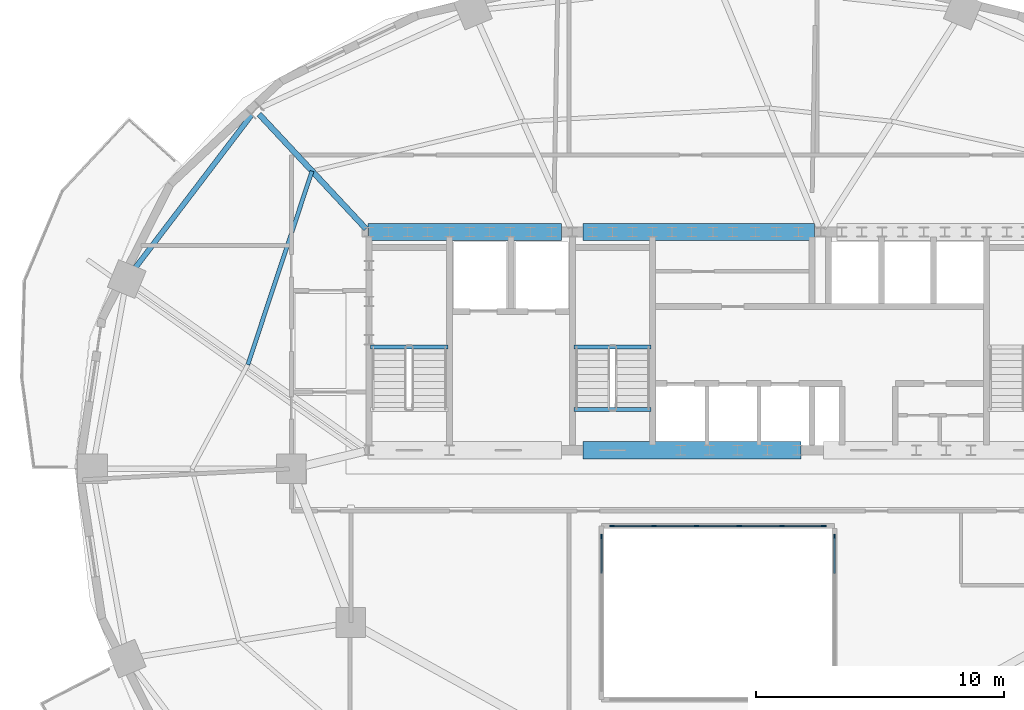
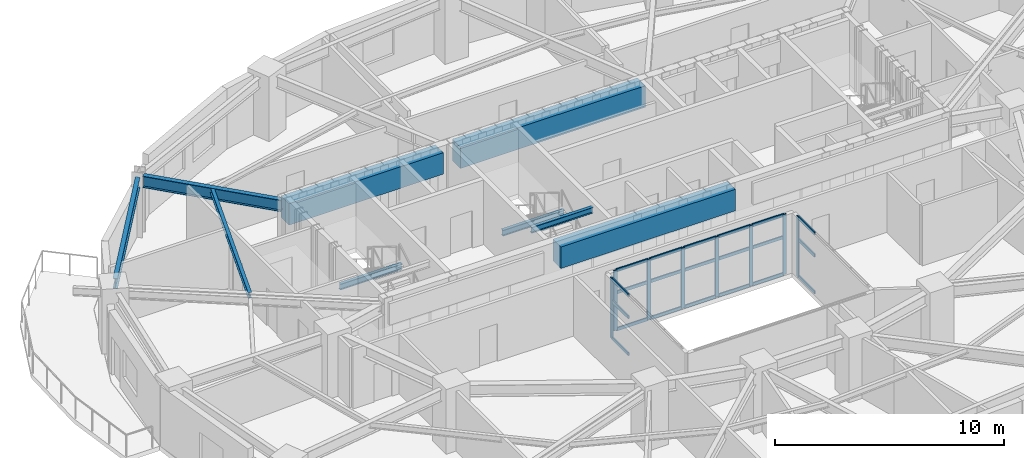
# One storey, part 3 of 11: 29 members, 9 beams, 3 elements without a shape of their own.
"""IFC4 building model written with IfcOpenShell, lengths in metres."""

import ifcopenshell
import ifcopenshell.guid

model = None  # the IFC model being written
_history = None  # IfcOwnerHistory: only IFC2X3 demands one
_inside = {}  # id of a spatial element -> (the spatial element, [elements in it])
_under = {}  # id of a project, library or spatial element -> (it, [spatial elements below it])
_declared = {}  # id of a project -> (the project, [libraries it declares])
_typed = {}  # id of a type object -> (the type object, [elements of that type])
_made_of = {}  # id of a material, layer set ... -> (it, [elements and type objects made of it])


def new_model(schema):
    """Start an empty IFC model of exactly this schema.

    Asked for "IFC4X3", IfcOpenShell would pick the latest addendum, in which some entities
    have other attributes; the version numbers below select the first issue.
    IFC2X3 requires an IfcOwnerHistory on every rooted entity: one is made here for all.
    """
    global model, _history
    if schema == "IFC4X3":
        model = ifcopenshell.file(schema_version=(4, 3, 0, 0))
    else:
        model = ifcopenshell.file(schema=schema)
    _inside.clear()
    _under.clear()
    _declared.clear()
    _typed.clear()
    _made_of.clear()
    _history = None
    if model.schema == "IFC2X3":
        org = make("IfcOrganization", Name="unknown")
        user = make(
            "IfcPersonAndOrganization",
            ThePerson=make("IfcPerson", FamilyName="unknown"),
            TheOrganization=org,
        )
        app = make(
            "IfcApplication",
            ApplicationDeveloper=org,
            Version="unknown",
            ApplicationFullName="unknown",
            ApplicationIdentifier="unknown",
        )
        _history = make(
            "IfcOwnerHistory",
            OwningUser=user,
            OwningApplication=app,
            ChangeAction="ADDED",
            CreationDate=0,
        )
    return model


def make(cls, **values):
    """One entity of the class cls with the attributes given. An attribute that is None is left unset."""
    return model.create_entity(
        cls, **{name: value for name, value in values.items() if value is not None}
    )


def rooted(cls, **values):
    """An entity with a GlobalId (a new one), such as an element, a storey or a relation."""
    return make(cls, GlobalId=ifcopenshell.guid.new(), OwnerHistory=_history, **values)


def si_unit(unit_type, name, prefix=None):
    """IfcSIUnit, for example si_unit("LENGTHUNIT", "METRE", prefix="MILLI")."""
    return make("IfcSIUnit", UnitType=unit_type, Prefix=prefix, Name=name)


def assignment(units):
    """IfcUnitAssignment: the units of a project."""
    return None if units is None else make("IfcUnitAssignment", Units=units)


def point(xyz):
    """IfcCartesianPoint."""
    return None if xyz is None else make("IfcCartesianPoint", Coordinates=xyz)


def direction(xyz):
    """IfcDirection."""
    return None if xyz is None else make("IfcDirection", DirectionRatios=xyz)


def frame(location, z_axis=None, x_axis=None):
    """IfcAxis2Placement3D, a coordinate frame: its origin and axes. An axis left out is left unset."""
    return make(
        "IfcAxis2Placement3D",
        Location=point(location),
        Axis=direction(z_axis),
        RefDirection=direction(x_axis),
    )


def frame_2d(location, x_axis=None):
    """IfcAxis2Placement2D, a coordinate frame in the plane: its origin and x axis."""
    return make(
        "IfcAxis2Placement2D", Location=point(location), RefDirection=direction(x_axis)
    )


def origin():
    """The frame at (0, 0, 0) with its axes left unset."""
    return frame((0.0, 0.0, 0.0))


def origin_2d():
    """The frame at (0, 0) in the plane with its x axis left unset."""
    return frame_2d((0.0, 0.0))


def place(relative_to, where):
    """IfcLocalPlacement: puts the frame where relative to a parent placement (None: the world)."""
    return make(
        "IfcLocalPlacement", PlacementRelTo=relative_to, RelativePlacement=where
    )


def context(
    kind, dimensions, precision=None, world=None, true_north=None, identifier=None
):
    """IfcGeometricRepresentationContext, for example the 3D "Model" context."""
    return make(
        "IfcGeometricRepresentationContext",
        ContextIdentifier=identifier,
        ContextType=kind,
        CoordinateSpaceDimension=dimensions,
        Precision=precision,
        WorldCoordinateSystem=world,
        TrueNorth=true_north,
    )


def subcontext(parent, identifier, kind, view, scale=None):
    """IfcGeometricRepresentationSubContext, for example "Body" below "Model"."""
    return make(
        "IfcGeometricRepresentationSubContext",
        ContextIdentifier=identifier,
        ContextType=kind,
        ParentContext=parent,
        TargetScale=scale,
        TargetView=view,
    )


def project(units=None, contexts=None):
    """IfcProject with its units and contexts."""
    return rooted(
        "IfcProject",
        Name="project",
        RepresentationContexts=contexts,
        UnitsInContext=assignment(units),
    )


def spatial(cls, under=None, at=None, **own):
    """A site, building, storey or space (cls), placed at a placement, below another one or the project."""
    s = rooted(cls, ObjectPlacement=at, **own)
    if under is not None:
        _under.setdefault(under.id(), (under, []))[1].append(s)
    return s


def profile(cls, at=None, kind="AREA", **sizes):
    """A parametric profile (cls). Its sizes go by their IFC names, for example OverallWidth=200.0."""
    return make(cls, ProfileType=kind, Position=at, **sizes)


def rectangle(**sizes):
    """IfcRectangleProfileDef."""
    return profile("IfcRectangleProfileDef", **sizes)


def i_section(**sizes):
    """IfcIShapeProfileDef."""
    return profile("IfcIShapeProfileDef", **sizes)


def extrude(swept, where, along, depth):
    """IfcExtrudedAreaSolid: the profile swept, set in the frame where, extruded along a direction by depth."""
    return make(
        "IfcExtrudedAreaSolid",
        SweptArea=swept,
        Position=where,
        ExtrudedDirection=direction(along),
        Depth=depth,
    )


def shape(context_of_items, identifier, shape_type, items):
    """IfcShapeRepresentation: the items that make up one representation, for example the "Body"."""
    return make(
        "IfcShapeRepresentation",
        ContextOfItems=context_of_items,
        RepresentationIdentifier=identifier,
        RepresentationType=shape_type,
        Items=items,
    )


def material(Name=None, Category=None):
    """IfcMaterial."""
    return make("IfcMaterial", Name=Name, Category=Category)


def material_profile(
    of_material, cross_section, Name=None, Category=None, Priority=None
):
    """IfcMaterialProfile: a cross section and its material."""
    return make(
        "IfcMaterialProfile",
        Name=Name,
        Material=of_material,
        Profile=cross_section,
        Priority=Priority,
        Category=Category,
    )


def profile_set(profiles, Name=None, composite=None):
    """IfcMaterialProfileSet."""
    return make(
        "IfcMaterialProfileSet",
        Name=Name,
        MaterialProfiles=profiles,
        CompositeProfile=composite,
    )


def made_of(thing, what):
    """Note that an element or type object is made of a material, layer set ...; save() writes the relation."""
    if what is not None:
        _made_of.setdefault(what.id(), (what, []))[1].append(thing)
    return thing


def type_object(cls, material=None, **own):
    """A type object (cls), such as IfcWallType, which elements share."""
    return made_of(rooted(cls, **own), material)


def element(
    cls,
    number,
    at=None,
    inside=None,
    cuts=None,
    type_object=None,
    material=None,
    context=None,
    identifier="Body",
    shape_type=None,
    held_by="IfcProductDefinitionShape",
    body=None,
    shapes=None,
    **own,
):
    """One element of the class cls, such as IfcWall. Its Tag is "e" and its number.

    at: its placement. inside: the storey or other place that contains it. cuts: it is an
    opening in that element (IfcRelVoidsElement). A single representation is given by context,
    identifier, shape_type and body (its items); several are given by shapes. held_by: the class
    of the entity that holds the representations. save() writes the other relations.
    """
    e = rooted(cls, Tag="e%d" % number, ObjectPlacement=at, **own)
    if body is not None:
        shapes = [shape(context, identifier, shape_type, body)]
    if shapes is not None:
        e.Representation = make(held_by, Representations=shapes)
    if inside is not None:
        _inside.setdefault(inside.id(), (inside, []))[1].append(e)
    if cuts is not None:
        rooted(
            "IfcRelVoidsElement", RelatingBuildingElement=cuts, RelatedOpeningElement=e
        )
    if type_object is not None:
        _typed.setdefault(type_object.id(), (type_object, []))[1].append(e)
    return made_of(e, material)


def aggregate(whole, parts):
    """IfcRelAggregates: a whole, such as a stair, and the parts it consists of."""
    return rooted("IfcRelAggregates", RelatingObject=whole, RelatedObjects=parts)


def save(model, path):
    """Write the relations noted so far, then the file.

    IfcRelAggregates (storeys below a building ...), IfcRelContainedInSpatialStructure (elements
    in a storey), IfcRelDefinesByType, IfcRelAssociatesMaterial and IfcRelDeclares: one each for
    every whole, place, type object, material and project.
    """
    for whole, parts in _under.values():
        aggregate(whole, parts)
    for where, things in _inside.values():
        rooted(
            "IfcRelContainedInSpatialStructure",
            RelatedElements=things,
            RelatingStructure=where,
        )
    for kind, things in _typed.values():
        rooted("IfcRelDefinesByType", RelatedObjects=things, RelatingType=kind)
    for what, things in _made_of.values():
        rooted("IfcRelAssociatesMaterial", RelatedObjects=things, RelatingMaterial=what)
    for by, libraries in _declared.values():
        rooted("IfcRelDeclares", RelatingContext=by, RelatedDefinitions=libraries)
    model.write(path)


model = new_model("IFC4")

# Units and contexts
model_context = context("Model", 3, precision=1e-05, world=origin(), true_north=direction((0.0, 1.0)))
body_context = subcontext(model_context, "Body", "Model", "MODEL_VIEW")
ifc_project = project(units=[si_unit("LENGTHUNIT", "METRE"), si_unit("AREAUNIT", "SQUARE_METRE"), si_unit("VOLUMEUNIT", "CUBIC_METRE"), si_unit("PLANEANGLEUNIT", "RADIAN"), si_unit("MASSUNIT", "GRAM", prefix="KILO")], contexts=[model_context])

# Site, building, storey
site_placement = place(None, origin())
site = spatial("IfcSite", under=ifc_project, at=site_placement, CompositionType="ELEMENT")
building_placement = place(site_placement, origin())
building = spatial("IfcBuilding", under=site, at=building_placement, Name="Haldorwick Loom Tower", CompositionType="ELEMENT")
storey_placement = place(building_placement, frame((0.0, 0.0, 171.699951171875)))
storey = spatial("IfcBuildingStorey", under=building, at=storey_placement, Name="L46", CompositionType="ELEMENT", Elevation=171.699951171875)

# Curtain wall, members
ifc_material_1 = material(Name="Thermally Broken Anodized Aluminium Curtain Wall Framing", Category="aluminium")
curtain_wall_type = type_object("IfcCurtainWallType", Name="ARC-CW-03", PredefinedType="NOTDEFINED", material=ifc_material_1)
curtain_wall_1_placement = place(storey_placement, origin())
curtain_wall_1 = element("IfcCurtainWall", 1, at=curtain_wall_1_placement, inside=storey, type_object=curtain_wall_type, Name="L46 Atrium Glazed Screen N", PredefinedType="NOTDEFINED")
ifc_material_profile_1 = material_profile(ifc_material_1, rectangle(XDim=0.06591796875, YDim=0.18505859375, at=origin_2d()), Name="ALU_MUL_66X185", Category="aluminium")
ifc_profile_set_1 = profile_set([ifc_material_profile_1], Name="Thermally Broken Anodized Aluminium Curtain Wall Framing")
member_type_1 = type_object("IfcMemberType", Name="ARC-CWM-03", PredefinedType="MULLION", material=ifc_profile_set_1)
member_1_placement = place(storey_placement, frame((31.73291015625, 23.699951171875, 0.0), z_axis=(0.0, 0.0, 1.0), x_axis=(0.0, 1.0, 0.0)))
member_1 = element("IfcMember", 2, at=member_1_placement, type_object=member_type_1, Name="CW-03 mullion 1", PredefinedType="MULLION", context=body_context, shape_type="SweptSolid", body=[
    extrude(rectangle(XDim=0.06591796875, YDim=0.18505859375, at=origin_2d()), origin(), (0.0, 0.0, 1.0), 3.2099609375),
])
member_2_placement = place(storey_placement, frame((33.419921875, 23.699951171875, 0.0), z_axis=(0.0, 0.0, 1.0), x_axis=(0.0, 1.0, 0.0)))
member_2 = element("IfcMember", 3, at=member_2_placement, type_object=member_type_1, Name="CW-03 mullion 2", PredefinedType="MULLION", context=body_context, shape_type="SweptSolid", body=[
    extrude(rectangle(XDim=0.06591796875, YDim=0.18505859375, at=origin_2d()), origin(), (0.0, 0.0, 1.0), 3.2099609375),
])
member_3_placement = place(storey_placement, frame((35.139892578125, 23.699951171875, 0.0), z_axis=(0.0, 0.0, 1.0), x_axis=(0.0, 1.0, 0.0)))
member_3 = element("IfcMember", 4, at=member_3_placement, type_object=member_type_1, Name="CW-03 mullion 3", PredefinedType="MULLION", context=body_context, shape_type="SweptSolid", body=[
    extrude(rectangle(XDim=0.06591796875, YDim=0.18505859375, at=origin_2d()), origin(), (0.0, 0.0, 1.0), 3.2099609375),
])
member_4_placement = place(storey_placement, frame((36.860107421875, 23.699951171875, 0.0), z_axis=(0.0, 0.0, 1.0), x_axis=(0.0, 1.0, 0.0)))
member_4 = element("IfcMember", 5, at=member_4_placement, type_object=member_type_1, Name="CW-03 mullion 4", PredefinedType="MULLION", context=body_context, shape_type="SweptSolid", body=[
    extrude(rectangle(XDim=0.06591796875, YDim=0.18505859375, at=origin_2d()), origin(), (0.0, 0.0, 1.0), 3.2099609375),
])
member_5_placement = place(storey_placement, frame((38.580078125, 23.699951171875, 0.0), z_axis=(0.0, 0.0, 1.0), x_axis=(0.0, 1.0, 0.0)))
member_5 = element("IfcMember", 6, at=member_5_placement, type_object=member_type_1, Name="CW-03 mullion 5", PredefinedType="MULLION", context=body_context, shape_type="SweptSolid", body=[
    extrude(rectangle(XDim=0.06591796875, YDim=0.18505859375, at=origin_2d()), origin(), (0.0, 0.0, 1.0), 3.2099609375),
])
member_6_placement = place(storey_placement, frame((40.26708984375, 23.699951171875, 0.0), z_axis=(0.0, 0.0, 1.0), x_axis=(0.0, 1.0, 0.0)))
member_6 = element("IfcMember", 7, at=member_6_placement, type_object=member_type_1, Name="CW-03 mullion 6", PredefinedType="MULLION", context=body_context, shape_type="SweptSolid", body=[
    extrude(rectangle(XDim=0.06591796875, YDim=0.18505859375, at=origin_2d()), origin(), (0.0, 0.0, 1.0), 3.2099609375),
])

# Curtain wall, member
curtain_wall_2_placement = place(storey_placement, origin())
curtain_wall_2 = element("IfcCurtainWall", 8, at=curtain_wall_2_placement, inside=storey, type_object=curtain_wall_type, Name="L46 Atrium Glazed Screen W", PredefinedType="NOTDEFINED")
member_7_placement = place(storey_placement, frame((31.300048828125, 23.26708984375, 0.0), z_axis=(0.0, 0.0, 1.0), x_axis=(-1.0, 0.0, 0.0)))
member_7 = element("IfcMember", 9, at=member_7_placement, type_object=member_type_1, Name="CW-03 mullion 5", PredefinedType="MULLION", context=body_context, shape_type="SweptSolid", body=[
    extrude(rectangle(XDim=0.06591796875, YDim=0.18505859375, at=origin_2d()), origin(), (0.0, 0.0, 1.0), 3.2099609375),
])

curtain_wall_3_placement = place(storey_placement, origin())
curtain_wall_3 = element("IfcCurtainWall", 10, at=curtain_wall_3_placement, inside=storey, type_object=curtain_wall_type, Name="L46 Atrium Glazed Screen E", PredefinedType="NOTDEFINED")
member_8_placement = place(storey_placement, frame((40.699951171875, 23.26708984375, 0.0), z_axis=(0.0, 0.0, 1.0), x_axis=(1.0, 0.0, 0.0)))
member_8 = element("IfcMember", 11, at=member_8_placement, type_object=member_type_1, Name="CW-03 mullion 1", PredefinedType="MULLION", context=body_context, shape_type="SweptSolid", body=[
    extrude(rectangle(XDim=0.06591796875, YDim=0.18505859375, at=origin_2d()), origin(), (0.0, 0.0, 1.0), 3.2099609375),
])

# Member
ifc_material_profile_2 = material_profile(ifc_material_1, rectangle(XDim=0.06591796875, YDim=0.1650390625, at=origin_2d()), Name="ALU_TRN_66X165", Category="aluminium")
ifc_profile_set_2 = profile_set([ifc_material_profile_2], Name="Thermally Broken Anodized Aluminium Curtain Wall Framing")
member_type_2 = type_object("IfcMemberType", Name="ARC-CWT-03", PredefinedType="USERDEFINED", material=ifc_profile_set_2)
member_9_placement = place(storey_placement, frame((31.76611328125, 23.699951171875, 0.032958984375), z_axis=(1.0, 0.0, 0.0), x_axis=(0.0, 1.0, 0.0)))
member_9 = element("IfcMember", 12, at=member_9_placement, type_object=member_type_2, Name="CW-03 transom 1.1", ObjectType="TRANSOM", PredefinedType="USERDEFINED", context=body_context, shape_type="SweptSolid", body=[
    extrude(rectangle(XDim=0.06591796875, YDim=0.1650390625, at=origin_2d()), origin(), (0.0, 0.0, 1.0), 1.620849609375),
])

member_10_placement = place(storey_placement, frame((31.76611328125, 23.699951171875, 2.0), z_axis=(1.0, 0.0, 0.0), x_axis=(0.0, 1.0, 0.0)))
member_10 = element("IfcMember", 13, at=member_10_placement, type_object=member_type_2, Name="CW-03 transom 1.2", ObjectType="TRANSOM", PredefinedType="USERDEFINED", context=body_context, shape_type="SweptSolid", body=[
    extrude(rectangle(XDim=0.06591796875, YDim=0.1650390625, at=origin_2d()), origin(), (0.0, 0.0, 1.0), 1.620849609375),
])

member_11_placement = place(storey_placement, frame((31.76611328125, 23.699951171875, 3.177001953125), z_axis=(1.0, 0.0, 0.0), x_axis=(0.0, 1.0, 0.0)))
member_11 = element("IfcMember", 14, at=member_11_placement, type_object=member_type_2, Name="CW-03 transom 1.3", ObjectType="TRANSOM", PredefinedType="USERDEFINED", context=body_context, shape_type="SweptSolid", body=[
    extrude(rectangle(XDim=0.06591796875, YDim=0.1650390625, at=origin_2d()), origin(), (0.0, 0.0, 1.0), 1.620849609375),
])

member_12_placement = place(storey_placement, frame((33.452880859375, 23.699951171875, 0.032958984375), z_axis=(1.0, 0.0, 0.0), x_axis=(0.0, 1.0, 0.0)))
member_12 = element("IfcMember", 15, at=member_12_placement, type_object=member_type_2, Name="CW-03 transom 2.1", ObjectType="TRANSOM", PredefinedType="USERDEFINED", context=body_context, shape_type="SweptSolid", body=[
    extrude(rectangle(XDim=0.06591796875, YDim=0.1650390625, at=origin_2d()), origin(), (0.0, 0.0, 1.0), 1.654052734375),
])

member_13_placement = place(storey_placement, frame((33.452880859375, 23.699951171875, 2.0), z_axis=(1.0, 0.0, 0.0), x_axis=(0.0, 1.0, 0.0)))
member_13 = element("IfcMember", 16, at=member_13_placement, type_object=member_type_2, Name="CW-03 transom 2.2", ObjectType="TRANSOM", PredefinedType="USERDEFINED", context=body_context, shape_type="SweptSolid", body=[
    extrude(rectangle(XDim=0.06591796875, YDim=0.1650390625, at=origin_2d()), origin(), (0.0, 0.0, 1.0), 1.654052734375),
])

member_14_placement = place(storey_placement, frame((33.452880859375, 23.699951171875, 3.177001953125), z_axis=(1.0, 0.0, 0.0), x_axis=(0.0, 1.0, 0.0)))
member_14 = element("IfcMember", 17, at=member_14_placement, type_object=member_type_2, Name="CW-03 transom 2.3", ObjectType="TRANSOM", PredefinedType="USERDEFINED", context=body_context, shape_type="SweptSolid", body=[
    extrude(rectangle(XDim=0.06591796875, YDim=0.1650390625, at=origin_2d()), origin(), (0.0, 0.0, 1.0), 1.654052734375),
])

member_15_placement = place(storey_placement, frame((35.173095703125, 23.699951171875, 0.032958984375), z_axis=(1.0, 0.0, 0.0), x_axis=(0.0, 1.0, 0.0)))
member_15 = element("IfcMember", 18, at=member_15_placement, type_object=member_type_2, Name="CW-03 transom 3.1", ObjectType="TRANSOM", PredefinedType="USERDEFINED", context=body_context, shape_type="SweptSolid", body=[
    extrude(rectangle(XDim=0.06591796875, YDim=0.1650390625, at=origin_2d()), origin(), (0.0, 0.0, 1.0), 1.65380859375),
])

member_16_placement = place(storey_placement, frame((35.173095703125, 23.699951171875, 2.0), z_axis=(1.0, 0.0, 0.0), x_axis=(0.0, 1.0, 0.0)))
member_16 = element("IfcMember", 19, at=member_16_placement, type_object=member_type_2, Name="CW-03 transom 3.2", ObjectType="TRANSOM", PredefinedType="USERDEFINED", context=body_context, shape_type="SweptSolid", body=[
    extrude(rectangle(XDim=0.06591796875, YDim=0.1650390625, at=origin_2d()), origin(), (0.0, 0.0, 1.0), 1.65380859375),
])

member_17_placement = place(storey_placement, frame((35.173095703125, 23.699951171875, 3.177001953125), z_axis=(1.0, 0.0, 0.0), x_axis=(0.0, 1.0, 0.0)))
member_17 = element("IfcMember", 20, at=member_17_placement, type_object=member_type_2, Name="CW-03 transom 3.3", ObjectType="TRANSOM", PredefinedType="USERDEFINED", context=body_context, shape_type="SweptSolid", body=[
    extrude(rectangle(XDim=0.06591796875, YDim=0.1650390625, at=origin_2d()), origin(), (0.0, 0.0, 1.0), 1.65380859375),
])

member_18_placement = place(storey_placement, frame((36.89306640625, 23.699951171875, 0.032958984375), z_axis=(1.0, 0.0, 0.0), x_axis=(0.0, 1.0, 0.0)))
member_18 = element("IfcMember", 21, at=member_18_placement, type_object=member_type_2, Name="CW-03 transom 4.1", ObjectType="TRANSOM", PredefinedType="USERDEFINED", context=body_context, shape_type="SweptSolid", body=[
    extrude(rectangle(XDim=0.06591796875, YDim=0.1650390625, at=origin_2d()), origin(), (0.0, 0.0, 1.0), 1.654052734375),
])

member_19_placement = place(storey_placement, frame((36.89306640625, 23.699951171875, 2.0), z_axis=(1.0, 0.0, 0.0), x_axis=(0.0, 1.0, 0.0)))
member_19 = element("IfcMember", 22, at=member_19_placement, type_object=member_type_2, Name="CW-03 transom 4.2", ObjectType="TRANSOM", PredefinedType="USERDEFINED", context=body_context, shape_type="SweptSolid", body=[
    extrude(rectangle(XDim=0.06591796875, YDim=0.1650390625, at=origin_2d()), origin(), (0.0, 0.0, 1.0), 1.654052734375),
])

member_20_placement = place(storey_placement, frame((36.89306640625, 23.699951171875, 3.177001953125), z_axis=(1.0, 0.0, 0.0), x_axis=(0.0, 1.0, 0.0)))
member_20 = element("IfcMember", 23, at=member_20_placement, type_object=member_type_2, Name="CW-03 transom 4.3", ObjectType="TRANSOM", PredefinedType="USERDEFINED", context=body_context, shape_type="SweptSolid", body=[
    extrude(rectangle(XDim=0.06591796875, YDim=0.1650390625, at=origin_2d()), origin(), (0.0, 0.0, 1.0), 1.654052734375),
])

member_21_placement = place(storey_placement, frame((38.613037109375, 23.699951171875, 0.032958984375), z_axis=(1.0, 0.0, 0.0), x_axis=(0.0, 1.0, 0.0)))
member_21 = element("IfcMember", 24, at=member_21_placement, type_object=member_type_2, Name="CW-03 transom 5.1", ObjectType="TRANSOM", PredefinedType="USERDEFINED", context=body_context, shape_type="SweptSolid", body=[
    extrude(rectangle(XDim=0.06591796875, YDim=0.1650390625, at=origin_2d()), origin(), (0.0, 0.0, 1.0), 1.620849609375),
])

member_22_placement = place(storey_placement, frame((38.613037109375, 23.699951171875, 2.0), z_axis=(1.0, 0.0, 0.0), x_axis=(0.0, 1.0, 0.0)))
member_22 = element("IfcMember", 25, at=member_22_placement, type_object=member_type_2, Name="CW-03 transom 5.2", ObjectType="TRANSOM", PredefinedType="USERDEFINED", context=body_context, shape_type="SweptSolid", body=[
    extrude(rectangle(XDim=0.06591796875, YDim=0.1650390625, at=origin_2d()), origin(), (0.0, 0.0, 1.0), 1.620849609375),
])

member_23_placement = place(storey_placement, frame((38.613037109375, 23.699951171875, 3.177001953125), z_axis=(1.0, 0.0, 0.0), x_axis=(0.0, 1.0, 0.0)))
member_23 = element("IfcMember", 26, at=member_23_placement, type_object=member_type_2, Name="CW-03 transom 5.3", ObjectType="TRANSOM", PredefinedType="USERDEFINED", context=body_context, shape_type="SweptSolid", body=[
    extrude(rectangle(XDim=0.06591796875, YDim=0.1650390625, at=origin_2d()), origin(), (0.0, 0.0, 1.0), 1.620849609375),
])

aggregate(curtain_wall_1, [member_1, member_2, member_3, member_4, member_5, member_6, member_9, member_10, member_11, member_12, member_13, member_14, member_15, member_16, member_17, member_18, member_19, member_20, member_21, member_22, member_23])

member_24_placement = place(storey_placement, frame((31.300048828125, 21.782958984375, 0.032958984375), z_axis=(0.0, 1.0, 0.0), x_axis=(-1.0, 0.0, 0.0)))
member_24 = element("IfcMember", 27, at=member_24_placement, type_object=member_type_2, Name="CW-03 transom 4.1", ObjectType="TRANSOM", PredefinedType="USERDEFINED", context=body_context, shape_type="SweptSolid", body=[
    extrude(rectangle(XDim=0.06591796875, YDim=0.1650390625, at=origin_2d()), origin(), (0.0, 0.0, 1.0), 1.450927734375),
])

member_25_placement = place(storey_placement, frame((31.300048828125, 21.782958984375, 2.0), z_axis=(0.0, 1.0, 0.0), x_axis=(-1.0, 0.0, 0.0)))
member_25 = element("IfcMember", 28, at=member_25_placement, type_object=member_type_2, Name="CW-03 transom 4.2", ObjectType="TRANSOM", PredefinedType="USERDEFINED", context=body_context, shape_type="SweptSolid", body=[
    extrude(rectangle(XDim=0.06591796875, YDim=0.1650390625, at=origin_2d()), origin(), (0.0, 0.0, 1.0), 1.450927734375),
])

member_26_placement = place(storey_placement, frame((31.300048828125, 21.782958984375, 3.177001953125), z_axis=(0.0, 1.0, 0.0), x_axis=(-1.0, 0.0, 0.0)))
member_26 = element("IfcMember", 29, at=member_26_placement, type_object=member_type_2, Name="CW-03 transom 4.3", ObjectType="TRANSOM", PredefinedType="USERDEFINED", context=body_context, shape_type="SweptSolid", body=[
    extrude(rectangle(XDim=0.06591796875, YDim=0.1650390625, at=origin_2d()), origin(), (0.0, 0.0, 1.0), 1.450927734375),
])

aggregate(curtain_wall_2, [member_7, member_24, member_25, member_26])

member_27_placement = place(storey_placement, frame((40.699951171875, 23.23388671875, 0.032958984375), z_axis=(0.0, -1.0, 0.0), x_axis=(1.0, 0.0, 0.0)))
member_27 = element("IfcMember", 30, at=member_27_placement, type_object=member_type_2, Name="CW-03 transom 1.1", ObjectType="TRANSOM", PredefinedType="USERDEFINED", context=body_context, shape_type="SweptSolid", body=[
    extrude(rectangle(XDim=0.06591796875, YDim=0.1650390625, at=origin_2d()), origin(), (0.0, 0.0, 1.0), 1.450927734375),
])

member_28_placement = place(storey_placement, frame((40.699951171875, 23.23388671875, 2.0), z_axis=(0.0, -1.0, 0.0), x_axis=(1.0, 0.0, 0.0)))
member_28 = element("IfcMember", 31, at=member_28_placement, type_object=member_type_2, Name="CW-03 transom 1.2", ObjectType="TRANSOM", PredefinedType="USERDEFINED", context=body_context, shape_type="SweptSolid", body=[
    extrude(rectangle(XDim=0.06591796875, YDim=0.1650390625, at=origin_2d()), origin(), (0.0, 0.0, 1.0), 1.450927734375),
])

member_29_placement = place(storey_placement, frame((40.699951171875, 23.23388671875, 3.177001953125), z_axis=(0.0, -1.0, 0.0), x_axis=(1.0, 0.0, 0.0)))
member_29 = element("IfcMember", 32, at=member_29_placement, type_object=member_type_2, Name="CW-03 transom 1.3", ObjectType="TRANSOM", PredefinedType="USERDEFINED", context=body_context, shape_type="SweptSolid", body=[
    extrude(rectangle(XDim=0.06591796875, YDim=0.1650390625, at=origin_2d()), origin(), (0.0, 0.0, 1.0), 1.450927734375),
])

aggregate(curtain_wall_3, [member_8, member_27, member_28, member_29])

# Beams
ifc_material_2 = material(Name="Concrete C60 (60 MPa)", Category="concrete")
ifc_material_profile_3 = material_profile(ifc_material_2, rectangle(XDim=0.699951171875, YDim=1.14990234375, at=origin_2d()), Name="RC700X1150", Category="concrete")
ifc_profile_set_3 = profile_set([ifc_material_profile_3], Name="Concrete C60 (60 MPa)")
beam_type_1 = type_object("IfcBeamType", Name="STR-BM-CB1150", PredefinedType="LINTEL", material=ifc_profile_set_3)
beam_1_placement = place(storey_placement, frame((21.89990234375, 35.550048828125, 2.635009765625), z_axis=(1.0, 0.0, 0.0), x_axis=(0.0, 1.0, 0.0)))
element("IfcBeam", 33, at=beam_1_placement, inside=storey, type_object=beam_type_1, Name="L46 Core Coupling Beam CB-N1", PredefinedType="LINTEL", context=body_context, shape_type="SweptSolid", body=[
    extrude(rectangle(XDim=0.699951171875, YDim=1.14990234375, at=origin_2d()), origin(), (0.0, 0.0, 1.0), 7.800048828125),
])
beam_2_placement = place(storey_placement, frame((30.550048828125, 35.550048828125, 2.635009765625), z_axis=(1.0, 0.0, 0.0), x_axis=(0.0, 1.0, 0.0)))
element("IfcBeam", 34, at=beam_2_placement, inside=storey, type_object=beam_type_1, Name="L46 Core Coupling Beam CB-N2", PredefinedType="LINTEL", context=body_context, shape_type="SweptSolid", body=[
    extrude(rectangle(XDim=0.699951171875, YDim=1.14990234375, at=origin_2d()), origin(), (0.0, 0.0, 1.0), 9.349853515625),
])
beam_3_placement = place(storey_placement, frame((30.550048828125, 26.75, 2.635009765625), z_axis=(1.0, 0.0, 0.0), x_axis=(0.0, 1.0, 0.0)))
element("IfcBeam", 35, at=beam_3_placement, inside=storey, type_object=beam_type_1, Name="L46 Core Coupling Beam CB-S2", PredefinedType="LINTEL", context=body_context, shape_type="SweptSolid", body=[
    extrude(rectangle(XDim=0.699951171875, YDim=1.14990234375, at=origin_2d()), origin(), (0.0, 0.0, 1.0), 8.800048828125),
])
ifc_material_3 = material(Name="Steel CSA G40.21 350W", Category="steel")
ifc_material_profile_4 = material_profile(ifc_material_3, i_section(OverallWidth=0.166015625, OverallDepth=0.31298828125, WebThickness=0.006591796875, FlangeThickness=0.01123046875, at=origin_2d()), Name="W310X45", Category="steel")
ifc_profile_set_4 = profile_set([ifc_material_profile_4], Name="Steel CSA G40.21 350W")
beam_type_2 = type_object("IfcBeamType", Name="STR-BM-J310", PredefinedType="JOIST", material=ifc_profile_set_4)
beam_4_placement = place(storey_placement, frame((19.63720703125, 38.007080078125, 3.053466796875), z_axis=(-0.314980632705, -0.949098098734, 0.0), x_axis=(0.949098098734, -0.314980632705, 0.0)))
element("IfcBeam", 36, at=beam_4_placement, inside=storey, type_object=beam_type_2, Name="L46 Mid-Bay Secondary Joist 7", PredefinedType="JOIST", context=body_context, shape_type="SweptSolid", body=[
    extrude(i_section(OverallWidth=0.166015625, OverallDepth=0.31298828125, WebThickness=0.006591796875, FlangeThickness=0.01123046875, at=origin_2d()), origin(), (0.0, 0.0, 1.0), 8.223876953125),
])
ifc_material_profile_5 = material_profile(ifc_material_3, i_section(OverallWidth=0.2119140625, OverallDepth=0.5439453125, WebThickness=0.01318359375, FlangeThickness=0.021240234375, at=origin_2d()), Name="W530X123", Category="steel")
ifc_profile_set_5 = profile_set([ifc_material_profile_5], Name="Steel CSA G40.21 350W")
beam_type_3 = type_object("IfcBeamType", Name="STR-BM-SP530", PredefinedType="SPANDREL", material=ifc_profile_set_5)
beam_5_placement = place(storey_placement, frame((17.208251953125, 40.28515625, 2.93798828125), z_axis=(-0.605421569293, -0.79590497136, 0.0), x_axis=(0.79590497136, -0.605421569293, 0.0)))
element("IfcBeam", 37, at=beam_5_placement, inside=storey, type_object=beam_type_3, Name="L46 Perimeter Spandrel 7", PredefinedType="SPANDREL", context=body_context, shape_type="SweptSolid", body=[
    extrude(i_section(OverallWidth=0.2119140625, OverallDepth=0.5439453125, WebThickness=0.01318359375, FlangeThickness=0.021240234375, at=origin_2d()), origin(), (0.0, 0.0, 1.0), 7.81201171875),
])
ifc_material_profile_6 = material_profile(ifc_material_3, i_section(OverallWidth=0.166015625, OverallDepth=0.31298828125, WebThickness=0.006591796875, FlangeThickness=0.01123046875, at=origin_2d()), Name="W310X45", Category="steel")
ifc_profile_set_6 = profile_set([ifc_material_profile_6], Name="Steel CSA G40.21 350W")
beam_type_4 = type_object("IfcBeamType", Name="STR-BM-STRM", PredefinedType="BEAM", material=ifc_profile_set_6)
for number, where, z_axis, x_axis, name in (
    (38, (21.989990234375, 30.919921875, 1.36865234375), (1.0, 0.0, 0.0), (0.0, 1.0, 0.0), "L46 Stair ST-01 Half-Landing Trimmer 1"),
    (39, (30.18994140625, 28.39990234375, 3.053466796875), (1.0, 0.0, 0.0), (0.0, 1.0, 0.0), "L46 Stair ST-03 Landing Edge Trimmer"),
    (40, (30.18994140625, 30.919921875, 1.36865234375), (1.0, 0.0, 0.0), (0.0, 1.0, 0.0), "L46 Stair ST-03 Half-Landing Trimmer 1"),
):
    element("IfcBeam", number, at=place(storey_placement, frame(where, z_axis=z_axis, x_axis=x_axis)), inside=storey, type_object=beam_type_4, Name=name, PredefinedType="BEAM", context=body_context, shape_type="SweptSolid", body=[
        extrude(i_section(OverallWidth=0.166015625, OverallDepth=0.31298828125, WebThickness=0.006591796875, FlangeThickness=0.01123046875, at=origin_2d()), origin(), (0.0, 0.0, 1.0), 3.1201171875),
    ])
ifc_material_profile_7 = material_profile(ifc_material_3, i_section(OverallWidth=0.22998046875, OverallDepth=0.616943359375, WebThickness=0.01318359375, FlangeThickness=0.022216796875, at=origin_2d()), Name="W610X140", Category="steel")
ifc_profile_set_7 = profile_set([ifc_material_profile_7], Name="Steel CSA G40.21 350W")
beam_type_5 = type_object("IfcBeamType", Name="STR-BM-W610B", PredefinedType="BEAM", material=ifc_profile_set_7)
beam_6_placement = place(storey_placement, frame((21.80859375, 35.68017578125, 2.901611328125), z_axis=(-0.682245282958, 0.731123364339, 0.0), x_axis=(-0.731123364339, -0.682245282958, 0.0)))
element("IfcBeam", 41, at=beam_6_placement, inside=storey, type_object=beam_type_5, Name="L46 Radial Floor Girder 7", PredefinedType="BEAM", context=body_context, shape_type="SweptSolid", body=[
    extrude(i_section(OverallWidth=0.22998046875, OverallDepth=0.616943359375, WebThickness=0.01318359375, FlangeThickness=0.022216796875, at=origin_2d()), origin(), (0.0, 0.0, 1.0), 6.318603515625),
])

save(model, "model.ifc")
